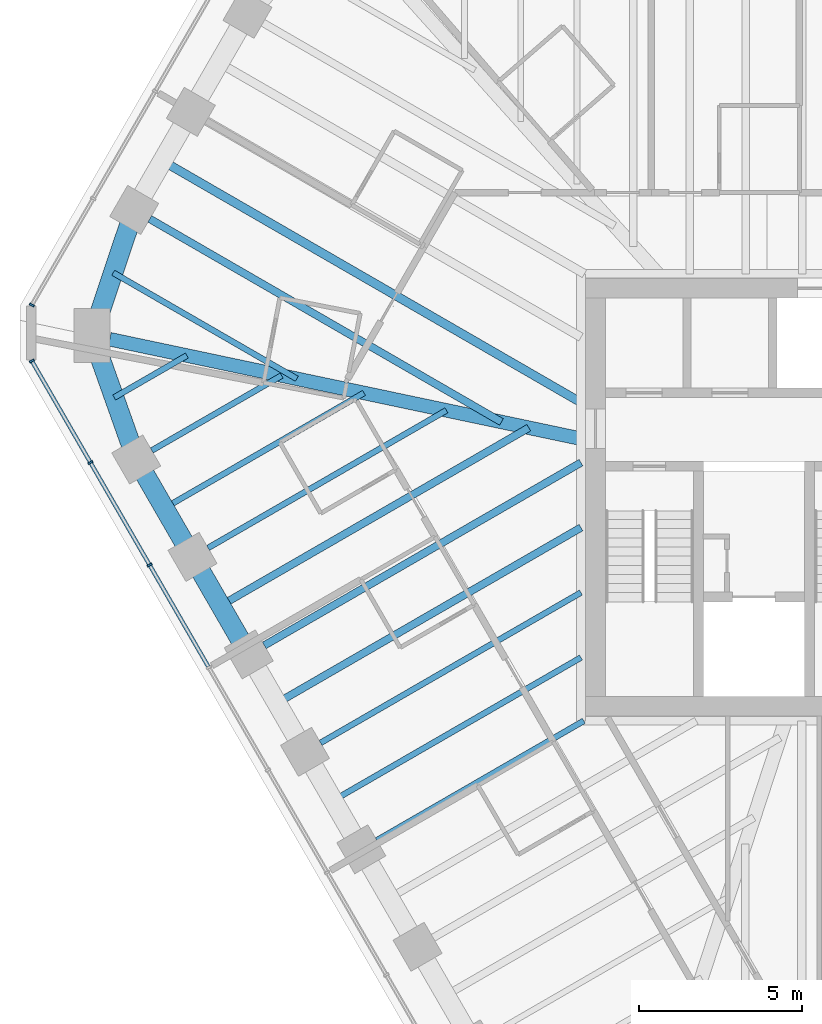
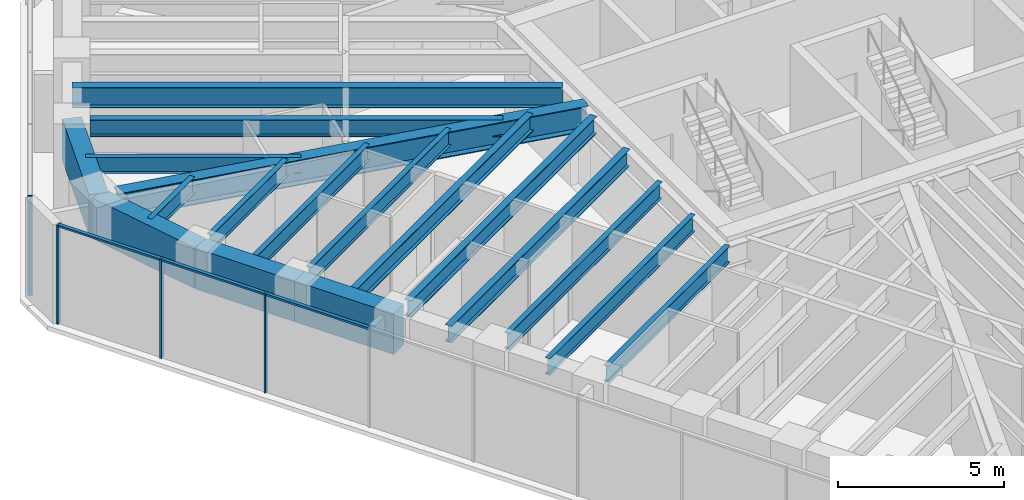
# One storey, part 3 of 14: 18 beams, 7 members, 2 elements without a shape of their own.
"""IFC4 building model written with IfcOpenShell, lengths in metres."""

from ifc_helpers import new_model, si_unit, direction, frame, origin, origin_2d, place, context, subcontext, project, spatial, rectangle, i_section, extrude, material, material_profile, profile_set, type_object, element, aggregate, save


model = new_model("IFC4")

# Units and contexts
model_context = context("Model", 3, precision=1e-05, world=origin(), true_north=direction((0.0, 1.0)))
body_context = subcontext(model_context, "Body", "Model", "MODEL_VIEW")
ifc_project = project(units=[si_unit("LENGTHUNIT", "METRE"), si_unit("AREAUNIT", "SQUARE_METRE"), si_unit("VOLUMEUNIT", "CUBIC_METRE"), si_unit("PLANEANGLEUNIT", "RADIAN"), si_unit("MASSUNIT", "GRAM", prefix="KILO")], contexts=[model_context])

# Site, building, storey
site_placement = place(None, origin())
site = spatial("IfcSite", under=ifc_project, at=site_placement, CompositionType="ELEMENT")
building_placement = place(site_placement, origin())
building = spatial("IfcBuilding", under=site, at=building_placement, Name="Sandreach Pilgrim Tower", CompositionType="ELEMENT")
storey_placement = place(building_placement, frame((0.0, 0.0, 287.39990234375)))
storey = spatial("IfcBuildingStorey", under=building, at=storey_placement, Name="L72", CompositionType="ELEMENT", Elevation=287.39990234375)

# Curtain wall, members
ifc_material_1 = material(Name="Aluminium framed curtain wall", Category="aluminium")
curtain_wall_type = type_object("IfcCurtainWallType", Name="Suite tower curtain wall", PredefinedType="NOTDEFINED", material=ifc_material_1)
curtain_wall_1_placement = place(storey_placement, origin())
curtain_wall_1 = element("IfcCurtainWall", 1, at=curtain_wall_1_placement, inside=storey, type_object=curtain_wall_type, Name="CW-4 L72 SW", PredefinedType="NOTDEFINED")
ifc_material_2 = material(Name="Aluminium extrusion", Category="aluminium")
ifc_material_profile_1 = material_profile(ifc_material_2, rectangle(XDim=0.06005859375, YDim=0.159912109375, at=origin_2d()), Name="CW-4M 60X160")
ifc_profile_set_1 = profile_set([ifc_material_profile_1], Name="Aluminium extrusion")
member_type_1 = type_object("IfcMemberType", Name="CW-4 mullion", PredefinedType="MULLION", material=ifc_profile_set_1)
member_1_placement = place(storey_placement, frame((-21.697509765625, -2.071533203125, 0.0), z_axis=(0.0, 0.0, 1.0), x_axis=(-0.5, 0.866025403784, 0.0)))
member_1 = element("IfcMember", 2, at=member_1_placement, type_object=member_type_1, Name="CW-4 mullion 8", PredefinedType="MULLION", context=body_context, shape_type="SweptSolid", body=[
    extrude(rectangle(XDim=0.06005859375, YDim=0.159912109375, at=origin_2d()), origin(), (0.0, 0.0, 1.0), 3.64013671875),
])
member_2_placement = place(storey_placement, frame((-23.508544921875, 1.06494140625, 0.0), z_axis=(0.0, 0.0, 1.0), x_axis=(-0.5, 0.866025403784, 0.0)))
member_2 = element("IfcMember", 3, at=member_2_placement, type_object=member_type_1, Name="CW-4 mullion 9", PredefinedType="MULLION", context=body_context, shape_type="SweptSolid", body=[
    extrude(rectangle(XDim=0.06005859375, YDim=0.159912109375, at=origin_2d()), origin(), (0.0, 0.0, 1.0), 3.64013671875),
])
member_3_placement = place(storey_placement, frame((-25.304443359375, 4.175537109375, 0.0), z_axis=(0.0, 0.0, 1.0), x_axis=(-0.5, 0.866025403784, 0.0)))
member_3 = element("IfcMember", 4, at=member_3_placement, type_object=member_type_1, Name="CW-4 mullion 10", PredefinedType="MULLION", context=body_context, shape_type="SweptSolid", body=[
    extrude(rectangle(XDim=0.06005859375, YDim=0.159912109375, at=origin_2d()), origin(), (0.0, 0.0, 1.0), 3.64013671875),
])

# Curtain wall, member
curtain_wall_2_placement = place(storey_placement, origin())
curtain_wall_2 = element("IfcCurtainWall", 5, at=curtain_wall_2_placement, inside=storey, type_object=curtain_wall_type, Name="CW-4 L72 NW", PredefinedType="NOTDEFINED")
member_4_placement = place(storey_placement, frame((-25.304443359375, 5.8876953125, 0.0), z_axis=(0.0, 0.0, 1.0), x_axis=(0.5, 0.866025403784, 0.0)))
member_4 = element("IfcMember", 6, at=member_4_placement, type_object=member_type_1, Name="CW-4 mullion 1", PredefinedType="MULLION", context=body_context, shape_type="SweptSolid", body=[
    extrude(rectangle(XDim=0.06005859375, YDim=0.159912109375, at=origin_2d()), origin(), (0.0, 0.0, 1.0), 3.64013671875),
])
aggregate(curtain_wall_2, [member_4])

# Member
ifc_material_3 = material(Name="Aluminium extrusion", Category="aluminium")
ifc_material_profile_2 = material_profile(ifc_material_3, rectangle(XDim=0.1201171875, YDim=0.070068359375, at=origin_2d()), Name="CW-4T 120X70")
ifc_profile_set_2 = profile_set([ifc_material_profile_2], Name="Aluminium extrusion")
member_type_2 = type_object("IfcMemberType", Name="CW-4 transom", PredefinedType="USERDEFINED", material=ifc_profile_set_2)
member_5_placement = place(storey_placement, frame((-19.901611328125, -5.182373046875, 3.60498046875), z_axis=(-0.500009219579, 0.866020080793, 0.0), x_axis=(-0.866020080793, -0.500009219579, 0.0)))
member_5 = element("IfcMember", 7, at=member_5_placement, type_object=member_type_2, Name="CW-4 head transom 7", ObjectType="TRANSOM", PredefinedType="USERDEFINED", context=body_context, shape_type="SweptSolid", body=[
    extrude(rectangle(XDim=0.1201171875, YDim=0.070068359375, at=origin_2d()), origin(), (0.0, 0.0, 1.0), 3.56201171875),
])

member_6_placement = place(storey_placement, frame((-21.71240234375, -2.045654296875, 3.60498046875), z_axis=(-0.500009219579, 0.866020080793, 0.0), x_axis=(-0.866020080793, -0.500009219579, 0.0)))
member_6 = element("IfcMember", 8, at=member_6_placement, type_object=member_type_2, Name="CW-4 head transom 8", ObjectType="TRANSOM", PredefinedType="USERDEFINED", context=body_context, shape_type="SweptSolid", body=[
    extrude(rectangle(XDim=0.1201171875, YDim=0.070068359375, at=origin_2d()), origin(), (0.0, 0.0, 1.0), 3.56201171875),
])

member_7_placement = place(storey_placement, frame((-23.5234375, 1.091064453125, 3.60498046875), z_axis=(-0.499997709859, 0.866026725994, 0.0), x_axis=(-0.866026725994, -0.499997709859, 0.0)))
member_7 = element("IfcMember", 9, at=member_7_placement, type_object=member_type_2, Name="CW-4 head transom 9", ObjectType="TRANSOM", PredefinedType="USERDEFINED", context=body_context, shape_type="SweptSolid", body=[
    extrude(rectangle(XDim=0.1201171875, YDim=0.070068359375, at=origin_2d()), origin(), (0.0, 0.0, 1.0), 3.53173828125),
])

aggregate(curtain_wall_1, [member_1, member_2, member_3, member_5, member_6, member_7])

# Beams
ifc_material_4 = material(Name="Steel ASTM A992 Grade 50", Category="steel")
ifc_material_profile_3 = material_profile(ifc_material_4, i_section(OverallWidth=0.419189453125, OverallDepth=0.927001953125, WebThickness=0.019287109375, FlangeThickness=0.031982421875, at=origin_2d()), Name="W36X231")
ifc_profile_set_3 = profile_set([ifc_material_profile_3], Name="Steel ASTM A992 Grade 50")
beam_type_1 = type_object("IfcBeamType", Name="Corner girder W36X231", PredefinedType="BEAM", material=ifc_profile_set_3)
beam_1_placement = place(storey_placement, frame((-22.917724609375, 4.838623046875, 3.176513671875), z_axis=(0.978430270369, -0.206577360876, 0.0), x_axis=(0.206577360876, 0.978430270369, 0.0)))
element("IfcBeam", 10, at=beam_1_placement, inside=storey, type_object=beam_type_1, Name="BM L72 CG35", PredefinedType="BEAM", context=body_context, shape_type="SweptSolid", body=[
    extrude(i_section(OverallWidth=0.419189453125, OverallDepth=0.927001953125, WebThickness=0.019287109375, FlangeThickness=0.031982421875, at=origin_2d()), origin(), (0.0, 0.0, 1.0), 14.888671875),
])
ifc_material_5 = material(Name="Steel ASTM A992 Grade 50", Category="steel")
ifc_material_profile_4 = material_profile(ifc_material_5, i_section(OverallWidth=0.1787109375, OverallDepth=0.60205078125, WebThickness=0.010986328125, FlangeThickness=0.014892578125, at=origin_2d()), Name="W24X62")
ifc_profile_set_4 = profile_set([ifc_material_profile_4], Name="Steel ASTM A992 Grade 50")
beam_type_2 = type_object("IfcBeamType", Name="Floor beam W24X62", PredefinedType="BEAM", material=ifc_profile_set_4)
beam_2_placement = place(storey_placement, frame((-14.741455078125, -10.5, 3.339111328125), z_axis=(0.866019920622, 0.500009496996, 0.0), x_axis=(-0.500009496996, 0.866019920622, 0.0)))
element("IfcBeam", 11, at=beam_2_placement, inside=storey, type_object=beam_type_2, Name="BM L72 F30", PredefinedType="BEAM", context=body_context, shape_type="SweptSolid", body=[
    extrude(i_section(OverallWidth=0.1787109375, OverallDepth=0.60205078125, WebThickness=0.010986328125, FlangeThickness=0.014892578125, at=origin_2d()), origin(), (0.0, 0.0, 1.0), 7.313232421875),
])
beam_3_placement = place(storey_placement, frame((-16.4638671875, -7.516357421875, 3.339111328125), z_axis=(0.866022580836, 0.500004889459, 0.0), x_axis=(-0.500004889459, 0.866022580836, 0.0)))
element("IfcBeam", 12, at=beam_3_placement, inside=storey, type_object=beam_type_2, Name="BM L72 F31", PredefinedType="BEAM", context=body_context, shape_type="SweptSolid", body=[
    extrude(i_section(OverallWidth=0.1787109375, OverallDepth=0.60205078125, WebThickness=0.010986328125, FlangeThickness=0.014892578125, at=origin_2d()), origin(), (0.0, 0.0, 1.0), 9.20361328125),
])
beam_4_placement = place(storey_placement, frame((-19.908935546875, -1.549560546875, 3.339111328125), z_axis=(0.866026819143, 0.499997548519, 0.0), x_axis=(-0.499997548519, 0.866026819143, 0.0)))
element("IfcBeam", 13, at=beam_4_placement, inside=storey, type_object=beam_type_2, Name="BM L72 F33", PredefinedType="BEAM", context=body_context, shape_type="SweptSolid", body=[
    extrude(i_section(OverallWidth=0.1787109375, OverallDepth=0.60205078125, WebThickness=0.010986328125, FlangeThickness=0.014892578125, at=origin_2d()), origin(), (0.0, 0.0, 1.0), 8.4248046875),
])
beam_5_placement = place(storey_placement, frame((-21.631591796875, 1.433837890625, 3.339111328125), z_axis=(0.866037621819, 0.499978837146, 0.0), x_axis=(-0.499978837146, 0.866037621819, 0.0)))
element("IfcBeam", 14, at=beam_5_placement, inside=storey, type_object=beam_type_2, Name="BM L72 F34", PredefinedType="BEAM", context=body_context, shape_type="SweptSolid", body=[
    extrude(i_section(OverallWidth=0.1787109375, OverallDepth=0.60205078125, WebThickness=0.010986328125, FlangeThickness=0.014892578125, at=origin_2d()), origin(), (0.0, 0.0, 1.0), 4.588623046875),
])
beam_6_placement = place(storey_placement, frame((-16.0791015625, -9.283203125, 3.339111328125), z_axis=(0.866023595995, 0.500003131169, 0.0), x_axis=(-0.500003131169, 0.866023595995, 0.0)))
element("IfcBeam", 15, at=beam_6_placement, inside=storey, type_object=beam_type_2, Name="BM L72 FM30", PredefinedType="BEAM", context=body_context, shape_type="SweptSolid", body=[
    extrude(i_section(OverallWidth=0.1787109375, OverallDepth=0.60205078125, WebThickness=0.010986328125, FlangeThickness=0.014892578125, at=origin_2d()), origin(), (0.0, 0.0, 1.0), 8.75927734375),
])
beam_7_placement = place(storey_placement, frame((-21.24658203125, -0.332763671875, 3.339111328125), z_axis=(0.866028878405, 0.499993981732, 0.0), x_axis=(-0.499993981732, 0.866028878405, 0.0)))
element("IfcBeam", 16, at=beam_7_placement, inside=storey, type_object=beam_type_2, Name="BM L72 FM33", PredefinedType="BEAM", context=body_context, shape_type="SweptSolid", body=[
    extrude(i_section(OverallWidth=0.1787109375, OverallDepth=0.60205078125, WebThickness=0.010986328125, FlangeThickness=0.014892578125, at=origin_2d()), origin(), (0.0, 0.0, 1.0), 7.056640625),
])
beam_8_placement = place(storey_placement, frame((-22.78173828125, 3.0556640625, 3.339111328125), z_axis=(0.8660004255, 0.500043261163, 0.0), x_axis=(-0.500043261163, 0.8660004255, 0.0)))
element("IfcBeam", 17, at=beam_8_placement, inside=storey, type_object=beam_type_2, Name="BM L72 FM34", PredefinedType="BEAM", context=body_context, shape_type="SweptSolid", body=[
    extrude(i_section(OverallWidth=0.1787109375, OverallDepth=0.60205078125, WebThickness=0.010986328125, FlangeThickness=0.014892578125, at=origin_2d()), origin(), (0.0, 0.0, 1.0), 2.569091796875),
])
beam_9_placement = place(storey_placement, frame((-22.8125, 6.875, 3.339111328125), z_axis=(0.866023980233, -0.500002465655, 0.0), x_axis=(0.500002465655, 0.866023980233, 0.0)))
element("IfcBeam", 18, at=beam_9_placement, inside=storey, type_object=beam_type_2, Name="BM L72 FM35", PredefinedType="BEAM", context=body_context, shape_type="SweptSolid", body=[
    extrude(i_section(OverallWidth=0.1787109375, OverallDepth=0.60205078125, WebThickness=0.010986328125, FlangeThickness=0.014892578125, at=origin_2d()), origin(), (0.0, 0.0, 1.0), 6.49072265625),
])
ifc_material_6 = material(Name="Steel ASTM A992 Grade 50", Category="steel")
ifc_material_profile_5 = material_profile(ifc_material_6, i_section(OverallWidth=0.23046875, OverallDepth=0.6171875, WebThickness=0.01318359375, FlangeThickness=0.022216796875, at=origin_2d()), Name="W24X94")
ifc_profile_set_5 = profile_set([ifc_material_profile_5], Name="Steel ASTM A992 Grade 50")
beam_type_3 = type_object("IfcBeamType", Name="Floor beam W24X94", PredefinedType="BEAM", material=ifc_profile_set_5)
beam_10_placement = place(storey_placement, frame((-18.1865234375, -4.532958984375, 3.33154296875), z_axis=(0.866030482771, 0.499991202833, 0.0), x_axis=(-0.499991202833, 0.866030482771, 0.0)))
element("IfcBeam", 19, at=beam_10_placement, inside=storey, type_object=beam_type_3, Name="BM L72 F32", PredefinedType="BEAM", context=body_context, shape_type="SweptSolid", body=[
    extrude(i_section(OverallWidth=0.23046875, OverallDepth=0.6171875, WebThickness=0.01318359375, FlangeThickness=0.022216796875, at=origin_2d()), origin(), (0.0, 0.0, 1.0), 11.192626953125),
])
beam_11_placement = place(storey_placement, frame((-21.69287109375, 8.522705078125, 3.33154296875), z_axis=(0.866028931402, -0.499993889937, 0.0), x_axis=(0.499993889937, 0.866028931402, 0.0)))
element("IfcBeam", 20, at=beam_11_placement, inside=storey, type_object=beam_type_3, Name="BM L72 F36", PredefinedType="BEAM", context=body_context, shape_type="SweptSolid", body=[
    extrude(i_section(OverallWidth=0.23046875, OverallDepth=0.6171875, WebThickness=0.01318359375, FlangeThickness=0.022216796875, at=origin_2d()), origin(), (0.0, 0.0, 1.0), 12.431396484375),
])
beam_12_placement = place(storey_placement, frame((-17.801513671875, -6.2998046875, 3.33154296875), z_axis=(0.866025958161, 0.49999903979, 0.0), x_axis=(-0.49999903979, 0.866025958161, 0.0)))
element("IfcBeam", 21, at=beam_12_placement, inside=storey, type_object=beam_type_3, Name="BM L72 FM31", PredefinedType="BEAM", context=body_context, shape_type="SweptSolid", body=[
    extrude(i_section(OverallWidth=0.23046875, OverallDepth=0.6171875, WebThickness=0.01318359375, FlangeThickness=0.022216796875, at=origin_2d()), origin(), (0.0, 0.0, 1.0), 10.748046875),
])
beam_13_placement = place(storey_placement, frame((-19.52392578125, -3.316162109375, 3.33154296875), z_axis=(0.866029205616, 0.499993414976, 0.0), x_axis=(-0.499993414976, 0.866029205616, 0.0)))
element("IfcBeam", 22, at=beam_13_placement, inside=storey, type_object=beam_type_3, Name="BM L72 FM32", PredefinedType="BEAM", context=body_context, shape_type="SweptSolid", body=[
    extrude(i_section(OverallWidth=0.23046875, OverallDepth=0.6171875, WebThickness=0.01318359375, FlangeThickness=0.022216796875, at=origin_2d()), origin(), (0.0, 0.0, 1.0), 10.893310546875),
])
ifc_material_7 = material(Name="Steel ASTM A992 Grade 50", Category="steel")
ifc_material_profile_6 = material_profile(ifc_material_7, i_section(OverallWidth=0.2666015625, OverallDepth=0.761962890625, WebThickness=0.014404296875, FlangeThickness=0.021484375, at=origin_2d()), Name="W30X116")
ifc_profile_set_6 = profile_set([ifc_material_profile_6], Name="Steel ASTM A992 Grade 50")
beam_type_4 = type_object("IfcBeamType", Name="Floor beam W30X116", PredefinedType="BEAM", material=ifc_profile_set_6)
beam_14_placement = place(storey_placement, frame((-21.302978515625, 10.29833984375, 3.259033203125), z_axis=(0.866028362181, -0.499994875871, 0.0), x_axis=(0.499994875871, 0.866028362181, 0.0)))
element("IfcBeam", 23, at=beam_14_placement, inside=storey, type_object=beam_type_4, Name="BM L72 FM36", PredefinedType="BEAM", context=body_context, shape_type="SweptSolid", body=[
    extrude(i_section(OverallWidth=0.2666015625, OverallDepth=0.761962890625, WebThickness=0.014404296875, FlangeThickness=0.021484375, at=origin_2d()), origin(), (0.0, 0.0, 1.0), 14.791259765625),
])
ifc_material_8 = material(Name="Concrete 10000 psi", Category="concrete")
ifc_material_profile_7 = material_profile(ifc_material_8, rectangle(XDim=0.60009765625, YDim=1.5, at=origin_2d()), Name="RC600X1500")
ifc_profile_set_7 = profile_set([ifc_material_profile_7], Name="Concrete 10000 psi")
beam_type_5 = type_object("IfcBeamType", Name="Spandrel beam RC600X1500", PredefinedType="SPANDREL", material=ifc_profile_set_7)
for number, where, z_axis, x_axis, name in (
    (24, (-18.662841796875, -4.80810546875, 2.89013671875), (-0.499957605418, 0.866049878924, 0.0), (-0.866049878924, -0.499957605418, 0.0), "BM L72 SP32"),
    (25, (-20.38525390625, -1.824462890625, 2.89013671875), (-0.500041441558, 0.866001476168, 0.0), (-0.866001476168, -0.500041441558, 0.0), "BM L72 SP33"),
):
    element("IfcBeam", number, at=place(storey_placement, frame(where, z_axis=z_axis, x_axis=x_axis)), inside=storey, type_object=beam_type_5, Name=name, PredefinedType="SPANDREL", context=body_context, shape_type="SweptSolid", body=[
        extrude(rectangle(XDim=0.60009765625, YDim=1.5, at=origin_2d()), origin(), (0.0, 0.0, 1.0), 3.445068359375),
    ])
beam_15_placement = place(storey_placement, frame((-22.10791015625, 1.158935546875, 2.89013671875), z_axis=(-0.33481464839, 0.94228400773, 0.0), x_axis=(-0.94228400773, -0.33481464839, 0.0)))
element("IfcBeam", 26, at=beam_15_placement, inside=storey, type_object=beam_type_5, Name="BM L72 SP34", PredefinedType="SPANDREL", context=body_context, shape_type="SweptSolid", body=[
    extrude(rectangle(XDim=0.60009765625, YDim=1.5, at=origin_2d()), origin(), (0.0, 0.0, 1.0), 4.02587890625),
])
beam_16_placement = place(storey_placement, frame((-23.455810546875, 4.952392578125, 2.89013671875), z_axis=(0.317293238289, 0.948327475578, 0.0), x_axis=(-0.948327475578, 0.317293238289, 0.0)))
element("IfcBeam", 27, at=beam_16_placement, inside=storey, type_object=beam_type_5, Name="BM L72 SP35", PredefinedType="SPANDREL", context=body_context, shape_type="SweptSolid", body=[
    extrude(rectangle(XDim=0.60009765625, YDim=1.5, at=origin_2d()), origin(), (0.0, 0.0, 1.0), 4.054931640625),
])

save(model, "model.ifc")
